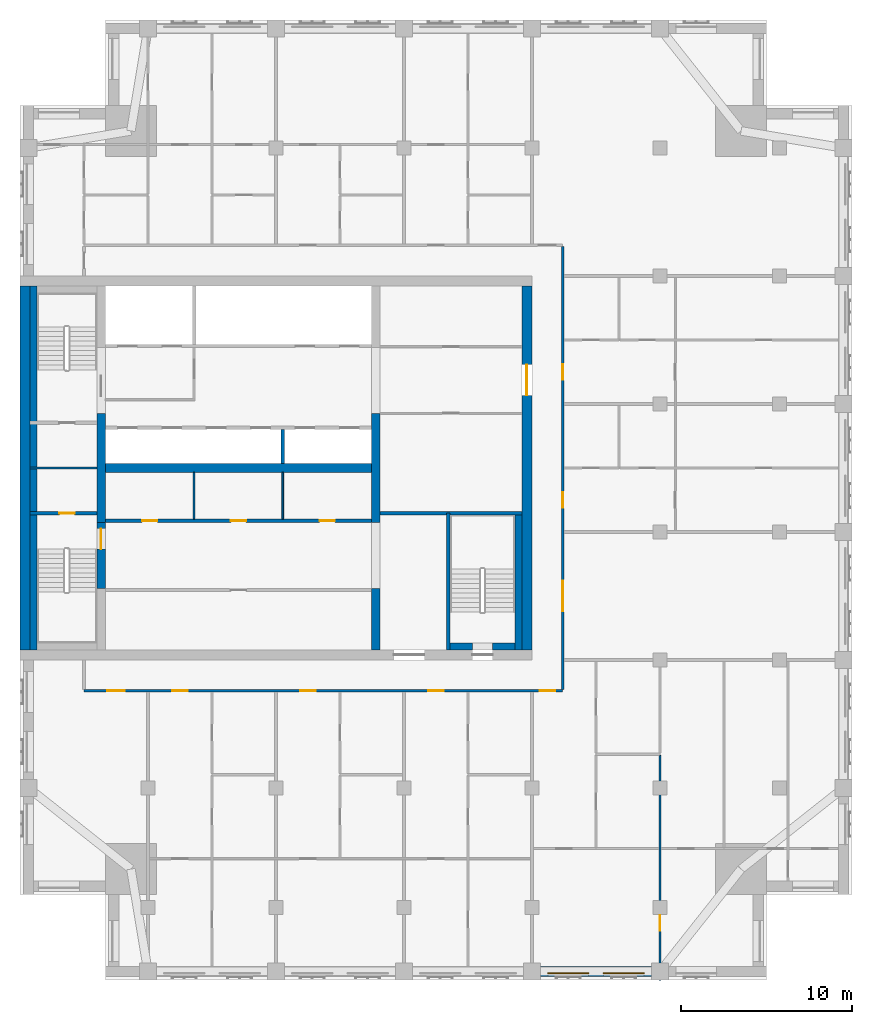
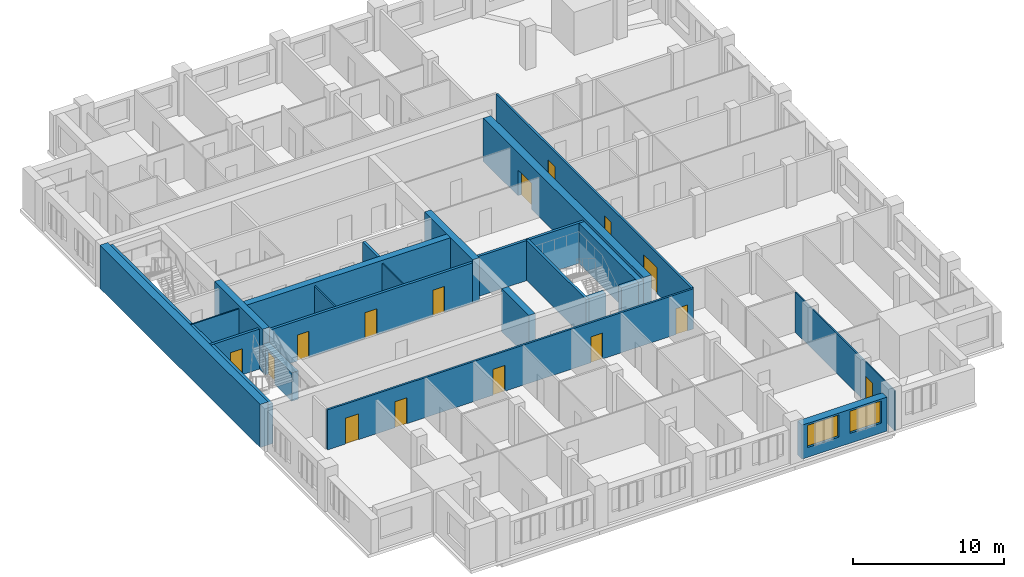
# One storey, part 4 of 11: 23 walls, 15 doors, 2 windows, 17 openings.
"""IFC4 building model written with IfcOpenShell, lengths in metres."""

from ifc_helpers import new_model, si_unit, direction, frame, frame_2d, origin, place, context, subcontext, project, spatial, rectangle, extrude, material, layer, layer_set, type_object, element, fill, save


model = new_model("IFC4")

# Units and contexts
model_context = context("Model", 3, precision=1e-05, world=origin(), true_north=direction((0.0, 1.0)))
body_context = subcontext(model_context, "Body", "Model", "MODEL_VIEW")
ifc_project = project(units=[si_unit("LENGTHUNIT", "METRE"), si_unit("AREAUNIT", "SQUARE_METRE"), si_unit("VOLUMEUNIT", "CUBIC_METRE"), si_unit("PLANEANGLEUNIT", "RADIAN"), si_unit("MASSUNIT", "GRAM", prefix="KILO")], contexts=[model_context])

# Site, building, storey
site_placement = place(None, origin())
site = spatial("IfcSite", under=ifc_project, at=site_placement, CompositionType="ELEMENT")
building_placement = place(site_placement, origin())
building = spatial("IfcBuilding", under=site, at=building_placement, Name="Tamorin Gate", CompositionType="ELEMENT")
storey_placement = place(building_placement, frame((0.0, 0.0, 226.699951171875)))
storey = spatial("IfcBuildingStorey", under=building, at=storey_placement, Name="L56", CompositionType="ELEMENT", Elevation=226.699951171875)

# Wall, openings, windows
ifc_material_1 = material(Name="Precast concrete C40/50", Category="concrete")
ifc_layer_1 = layer(ifc_material_1, 0.60009765625)
ifc_layer_set_1 = layer_set([ifc_layer_1], Name="Precast concrete C40/50")
wall_type_1 = type_object("IfcWallType", Name="Board-marked concrete facade panel 600", PredefinedType="SOLIDWALL", material=ifc_layer_set_1)
wall_1_placement = place(storey_placement, frame((60.5, 41.75, 0.0), z_axis=(0.0, 0.0, 1.0), x_axis=(1.0, 0.0, 0.0)))
wall_1 = element("IfcWall", 1, at=wall_1_placement, inside=storey, type_object=wall_type_1, Name="Facade panel", PredefinedType="SOLIDWALL", context=body_context, shape_type="SweptSolid", body=[
    extrude(rectangle(XDim=6.5, YDim=0.60009765625, at=frame_2d((3.25, 0.0))), origin(), (0.0, 0.0, 1.0), 2.75),
])
opening_1_placement = place(wall_1_placement, frame((0.425048828125, 0.0, 0.800048828125)))
opening_1 = element("IfcOpeningElement", 2, at=opening_1_placement, cuts=wall_1, Name="Opening WN1", PredefinedType="OPENING", context=body_context, shape_type="SweptSolid", body=[
    extrude(rectangle(XDim=2.39990234375, YDim=1.800048828125, at=frame_2d((1.199951171875, 0.89990234375))), frame((0.0, 0.31005859375, 0.0), z_axis=(0.0, -1.0, 0.0), x_axis=(1.0, 0.0, 0.0)), (0.0, 0.0, 1.0), 0.6201171875),
])
opening_2_placement = place(wall_1_placement, frame((3.675048828125, 0.0, 0.800048828125)))
opening_2 = element("IfcOpeningElement", 3, at=opening_2_placement, cuts=wall_1, Name="Opening WN1", PredefinedType="OPENING", context=body_context, shape_type="SweptSolid", body=[
    extrude(rectangle(XDim=2.39990234375, YDim=1.800048828125, at=frame_2d((1.199951171875, 0.89990234375))), frame((0.0, 0.31005859375, 0.0), z_axis=(0.0, -1.0, 0.0), x_axis=(1.0, 0.0, 0.0)), (0.0, 0.0, 1.0), 0.6201171875),
])
ifc_material_2 = material(Name="Clear glass in aluminium frame", Category="aluminium")
window_type = type_object("IfcWindowType", Name="Deep-set window 2400x1800", PartitioningType="SINGLE_PANEL", PredefinedType="WINDOW", material=ifc_material_2)
window_1_placement = place(opening_1_placement, origin())
window_1 = element("IfcWindow", 4, at=window_1_placement, inside=storey, type_object=window_type, Name="Deep-set window", OverallHeight=1.800048828125, OverallWidth=2.39990234375, PartitioningType="SINGLE_PANEL", PredefinedType="WINDOW", context=body_context, shape_type="SweptSolid", body=[
    extrude(rectangle(XDim=2.39990234375, YDim=1.800048828125, at=frame_2d((1.199951171875, 0.89990234375))), frame((0.0, -0.070068359375, 0.0), z_axis=(0.0, -1.0, 0.0), x_axis=(1.0, 0.0, 0.0)), (0.0, 0.0, 1.0), 0.06005859375),
])
fill(opening_1, window_1)
window_2_placement = place(opening_2_placement, origin())
window_2 = element("IfcWindow", 5, at=window_2_placement, inside=storey, type_object=window_type, Name="Deep-set window", OverallHeight=1.800048828125, OverallWidth=2.39990234375, PartitioningType="SINGLE_PANEL", PredefinedType="WINDOW", context=body_context, shape_type="SweptSolid", body=[
    extrude(rectangle(XDim=2.39990234375, YDim=1.800048828125, at=frame_2d((1.199951171875, 0.89990234375))), frame((0.0, -0.070068359375, 0.0), z_axis=(0.0, -1.0, 0.0), x_axis=(1.0, 0.0, 0.0)), (0.0, 0.0, 1.0), 0.06005859375),
])
fill(opening_2, window_2)

# Wall, openings, doors
ifc_material_3 = material(Name="Gypsum board partition")
ifc_layer_2 = layer(ifc_material_3, 0.14990234375)
ifc_layer_set_2 = layer_set([ifc_layer_2], Name="Corridor wall 150")
wall_type_2 = type_object("IfcWallType", Name="Corridor wall 150", PredefinedType="PARTITIONING", material=ifc_layer_set_2)
wall_2_placement = place(storey_placement, frame((33.75, 58.199951171875, 0.0), z_axis=(0.0, 0.0, 1.0), x_axis=(1.0, 0.0, 0.0)))
wall_2 = element("IfcWall", 6, at=wall_2_placement, inside=storey, type_object=wall_type_2, Name="Corridor wall 150", PredefinedType="PARTITIONING", context=body_context, shape_type="SweptSolid", body=[
    extrude(rectangle(XDim=28.050048828125, YDim=0.14990234375, at=frame_2d((14.02490234375, 0.0))), origin(), (0.0, 0.0, 1.0), 3.25),
])
opening_3_placement = place(wall_2_placement, frame((1.375, 0.0, 0.0)))
opening_3 = element("IfcOpeningElement", 7, at=opening_3_placement, cuts=wall_2, Name="Opening DR6001", PredefinedType="OPENING", context=body_context, shape_type="SweptSolid", body=[
    extrude(rectangle(XDim=1.0, YDim=2.10009765625, at=frame_2d((0.5, 1.050048828125))), frame((0.0, 0.0849609375, 0.0), z_axis=(0.0, -1.0, 0.0), x_axis=(1.0, 0.0, 0.0)), (0.0, 0.0, 1.0), 0.169921875),
])
opening_4_placement = place(wall_2_placement, frame((5.175048828125, 0.0, 0.0)))
opening_4 = element("IfcOpeningElement", 8, at=opening_4_placement, cuts=wall_2, Name="Opening DR6002", PredefinedType="OPENING", context=body_context, shape_type="SweptSolid", body=[
    extrude(rectangle(XDim=0.89990234375, YDim=2.10009765625, at=frame_2d((0.449951171875, 1.050048828125))), frame((0.0, 0.0849609375, 0.0), z_axis=(0.0, -1.0, 0.0), x_axis=(1.0, 0.0, 0.0)), (0.0, 0.0, 1.0), 0.169921875),
])
opening_5_placement = place(wall_2_placement, frame((12.675048828125, 0.0, 0.0)))
opening_5 = element("IfcOpeningElement", 9, at=opening_5_placement, cuts=wall_2, Name="Opening DR6007", PredefinedType="OPENING", context=body_context, shape_type="SweptSolid", body=[
    extrude(rectangle(XDim=0.89990234375, YDim=2.10009765625, at=frame_2d((0.449951171875, 1.050048828125))), frame((0.0, 0.0849609375, 0.0), z_axis=(0.0, -1.0, 0.0), x_axis=(1.0, 0.0, 0.0)), (0.0, 0.0, 1.0), 0.169921875),
])
opening_6_placement = place(wall_2_placement, frame((20.175048828125, 0.0, 0.0)))
opening_6 = element("IfcOpeningElement", 10, at=opening_6_placement, cuts=wall_2, Name="Opening DR6011", PredefinedType="OPENING", context=body_context, shape_type="SweptSolid", body=[
    extrude(rectangle(XDim=0.89990234375, YDim=2.10009765625, at=frame_2d((0.449951171875, 1.050048828125))), frame((0.0, 0.0849609375, 0.0), z_axis=(0.0, -1.0, 0.0), x_axis=(1.0, 0.0, 0.0)), (0.0, 0.0, 1.0), 0.169921875),
])
opening_7_placement = place(wall_2_placement, frame((26.699951171875, 0.0, 0.0)))
opening_7 = element("IfcOpeningElement", 11, at=opening_7_placement, cuts=wall_2, Name="Opening DR6016", PredefinedType="OPENING", context=body_context, shape_type="SweptSolid", body=[
    extrude(rectangle(XDim=0.89990234375, YDim=2.10009765625, at=frame_2d((0.449951171875, 1.050048828125))), frame((0.0, 0.0849609375, 0.0), z_axis=(0.0, -1.0, 0.0), x_axis=(1.0, 0.0, 0.0)), (0.0, 0.0, 1.0), 0.169921875),
])
ifc_material_4 = material(Name="Timber door leaf", Category="wood")
door_type_1 = type_object("IfcDoorType", Name="Door 1000 x 2100 FD30S", OperationType="NOTDEFINED", PredefinedType="DOOR", material=ifc_material_4)
door_1_placement = place(opening_3_placement, origin())
door_1 = element("IfcDoor", 12, at=door_1_placement, inside=storey, type_object=door_type_1, Name="Door DR6001", OperationType="SINGLE_SWING_RIGHT", OverallHeight=2.10009765625, OverallWidth=1.0, PredefinedType="DOOR", context=body_context, shape_type="SweptSolid", body=[
    extrude(rectangle(XDim=1.0, YDim=2.10009765625, at=frame_2d((0.5, 1.050048828125))), frame((0.0, 0.02490234375, 0.0), z_axis=(0.0, -1.0, 0.0), x_axis=(1.0, 0.0, 0.0)), (0.0, 0.0, 1.0), 0.050048828125),
])
fill(opening_3, door_1)
door_type_2 = type_object("IfcDoorType", Name="Door 900 x 2100 FD30S", OperationType="NOTDEFINED", PredefinedType="DOOR", material=ifc_material_4)
door_2_placement = place(opening_4_placement, origin())
door_2 = element("IfcDoor", 13, at=door_2_placement, inside=storey, type_object=door_type_2, Name="Door DR6002", OperationType="SINGLE_SWING_RIGHT", OverallHeight=2.10009765625, OverallWidth=0.89990234375, PredefinedType="DOOR", context=body_context, shape_type="SweptSolid", body=[
    extrude(rectangle(XDim=0.89990234375, YDim=2.10009765625, at=frame_2d((0.449951171875, 1.050048828125))), frame((0.0, 0.02490234375, 0.0), z_axis=(0.0, -1.0, 0.0), x_axis=(1.0, 0.0, 0.0)), (0.0, 0.0, 1.0), 0.050048828125),
])
fill(opening_4, door_2)
door_3_placement = place(opening_5_placement, origin())
door_3 = element("IfcDoor", 14, at=door_3_placement, inside=storey, type_object=door_type_2, Name="Door DR6007", OperationType="SINGLE_SWING_RIGHT", OverallHeight=2.10009765625, OverallWidth=0.89990234375, PredefinedType="DOOR", context=body_context, shape_type="SweptSolid", body=[
    extrude(rectangle(XDim=0.89990234375, YDim=2.10009765625, at=frame_2d((0.449951171875, 1.050048828125))), frame((0.0, 0.02490234375, 0.0), z_axis=(0.0, -1.0, 0.0), x_axis=(1.0, 0.0, 0.0)), (0.0, 0.0, 1.0), 0.050048828125),
])
fill(opening_5, door_3)
door_4_placement = place(opening_6_placement, origin())
door_4 = element("IfcDoor", 15, at=door_4_placement, inside=storey, type_object=door_type_2, Name="Door DR6011", OperationType="SINGLE_SWING_RIGHT", OverallHeight=2.10009765625, OverallWidth=0.89990234375, PredefinedType="DOOR", context=body_context, shape_type="SweptSolid", body=[
    extrude(rectangle(XDim=0.89990234375, YDim=2.10009765625, at=frame_2d((0.449951171875, 1.050048828125))), frame((0.0, 0.02490234375, 0.0), z_axis=(0.0, -1.0, 0.0), x_axis=(1.0, 0.0, 0.0)), (0.0, 0.0, 1.0), 0.050048828125),
])
fill(opening_6, door_4)
door_5_placement = place(opening_7_placement, origin())
door_5 = element("IfcDoor", 16, at=door_5_placement, inside=storey, type_object=door_type_2, Name="Door DR6016", OperationType="SINGLE_SWING_RIGHT", OverallHeight=2.10009765625, OverallWidth=0.89990234375, PredefinedType="DOOR", context=body_context, shape_type="SweptSolid", body=[
    extrude(rectangle(XDim=0.89990234375, YDim=2.10009765625, at=frame_2d((0.449951171875, 1.050048828125))), frame((0.0, 0.02490234375, 0.0), z_axis=(0.0, -1.0, 0.0), x_axis=(1.0, 0.0, 0.0)), (0.0, 0.0, 1.0), 0.050048828125),
])
fill(opening_7, door_5)

wall_3_placement = place(storey_placement, frame((61.800048828125, 58.27490234375, 0.0), z_axis=(0.0, 0.0, 1.0), x_axis=(0.0, 1.0, 0.0)))
wall_3 = element("IfcWall", 17, at=wall_3_placement, inside=storey, type_object=wall_type_2, Name="Corridor wall 150", PredefinedType="PARTITIONING", context=body_context, shape_type="SweptSolid", body=[
    extrude(rectangle(XDim=25.9501953125, YDim=0.14990234375, at=frame_2d((12.97509765625, 0.0))), origin(), (0.0, 0.0, 1.0), 3.25),
])
opening_8_placement = place(wall_3_placement, frame((4.574951171875, 0.0, 0.0)))
opening_8 = element("IfcOpeningElement", 18, at=opening_8_placement, cuts=wall_3, Name="Opening DR6044", PredefinedType="OPENING", context=body_context, shape_type="SweptSolid", body=[
    extrude(rectangle(XDim=1.800048828125, YDim=2.10009765625, at=frame_2d((0.89990234375, 1.050048828125))), frame((0.0, 0.0849609375, 0.0), z_axis=(0.0, -1.0, 0.0), x_axis=(1.0, 0.0, 0.0)), (0.0, 0.0, 1.0), 0.169921875),
])
opening_9_placement = place(wall_3_placement, frame((10.64990234375, 0.0, 0.0)))
opening_9 = element("IfcOpeningElement", 19, at=opening_9_placement, cuts=wall_3, Name="Opening DR6045", PredefinedType="OPENING", context=body_context, shape_type="SweptSolid", body=[
    extrude(rectangle(XDim=0.89990234375, YDim=2.10009765625, at=frame_2d((0.449951171875, 1.050048828125))), frame((0.0, 0.0849609375, 0.0), z_axis=(0.0, -1.0, 0.0), x_axis=(1.0, 0.0, 0.0)), (0.0, 0.0, 1.0), 0.169921875),
])
opening_10_placement = place(wall_3_placement, frame((18.14990234375, 0.0, 0.0)))
opening_10 = element("IfcOpeningElement", 20, at=opening_10_placement, cuts=wall_3, Name="Opening DR6050", PredefinedType="OPENING", context=body_context, shape_type="SweptSolid", body=[
    extrude(rectangle(XDim=0.89990234375, YDim=2.10009765625, at=frame_2d((0.449951171875, 1.050048828125))), frame((0.0, 0.0849609375, 0.0), z_axis=(0.0, -1.0, 0.0), x_axis=(1.0, 0.0, 0.0)), (0.0, 0.0, 1.0), 0.169921875),
])
door_type_3 = type_object("IfcDoorType", Name="Door 1800 x 2100 FD30S", OperationType="DOUBLE_DOOR_SINGLE_SWING", PredefinedType="DOOR", material=ifc_material_4)
door_6_placement = place(opening_8_placement, origin())
door_6 = element("IfcDoor", 21, at=door_6_placement, inside=storey, type_object=door_type_3, Name="Door DR6044", OperationType="DOUBLE_DOOR_SINGLE_SWING", OverallHeight=2.10009765625, OverallWidth=1.800048828125, PredefinedType="DOOR", context=body_context, shape_type="SweptSolid", body=[
    extrude(rectangle(XDim=1.800048828125, YDim=2.10009765625, at=frame_2d((0.89990234375, 1.050048828125))), frame((0.0, 0.02490234375, 0.0), z_axis=(0.0, -1.0, 0.0), x_axis=(1.0, 0.0, 0.0)), (0.0, 0.0, 1.0), 0.050048828125),
])
fill(opening_8, door_6)
door_7_placement = place(opening_9_placement, origin())
door_7 = element("IfcDoor", 22, at=door_7_placement, inside=storey, type_object=door_type_2, Name="Door DR6045", OperationType="SINGLE_SWING_RIGHT", OverallHeight=2.10009765625, OverallWidth=0.89990234375, PredefinedType="DOOR", context=body_context, shape_type="SweptSolid", body=[
    extrude(rectangle(XDim=0.89990234375, YDim=2.10009765625, at=frame_2d((0.449951171875, 1.050048828125))), frame((0.0, 0.02490234375, 0.0), z_axis=(0.0, -1.0, 0.0), x_axis=(1.0, 0.0, 0.0)), (0.0, 0.0, 1.0), 0.050048828125),
])
fill(opening_9, door_7)
door_8_placement = place(opening_10_placement, origin())
door_8 = element("IfcDoor", 23, at=door_8_placement, inside=storey, type_object=door_type_2, Name="Door DR6050", OperationType="SINGLE_SWING_RIGHT", OverallHeight=2.10009765625, OverallWidth=0.89990234375, PredefinedType="DOOR", context=body_context, shape_type="SweptSolid", body=[
    extrude(rectangle(XDim=0.89990234375, YDim=2.10009765625, at=frame_2d((0.449951171875, 1.050048828125))), frame((0.0, 0.02490234375, 0.0), z_axis=(0.0, -1.0, 0.0), x_axis=(1.0, 0.0, 0.0)), (0.0, 0.0, 1.0), 0.050048828125),
])
fill(opening_10, door_8)

# Walls
ifc_material_5 = material(Name="Concrete C32/40", Category="concrete")
ifc_layer_3 = layer(ifc_material_5, 0.199951171875)
ifc_layer_set_3 = layer_set([ifc_layer_3], Name="Lift shaft wall 200 EI 120")
wall_type_3 = type_object("IfcWallType", Name="Lift shaft wall 200 EI 120", PredefinedType="SOLIDWALL", material=ifc_layer_set_3)
wall_4_placement = place(storey_placement, frame((45.39990234375, 71.5, 0.0), z_axis=(0.0, 0.0, 1.0), x_axis=(0.0, 1.0, 0.0)))
element("IfcWall", 24, at=wall_4_placement, inside=storey, type_object=wall_type_3, Name="Lift shaft wall", PredefinedType="SOLIDWALL", context=body_context, shape_type="SweptSolid", body=[
    extrude(rectangle(XDim=2.0, YDim=0.199951171875, at=frame_2d((1.0, 0.0))), origin(), (0.0, 0.0, 1.0), 3.5),
])
ifc_material_6 = material(Name="Concrete C50/60", Category="concrete")
ifc_layer_4 = layer(ifc_material_6, 0.5)
ifc_layer_set_4 = layer_set([ifc_layer_4], Name="RC core internal wall 500 C50/60")
wall_type_4 = type_object("IfcWallType", Name="RC core internal wall 500 C50/60", PredefinedType="SHEAR", material=ifc_layer_set_4)
wall_5_placement = place(storey_placement, frame((35.0, 71.25, 0.0), z_axis=(0.0, 0.0, 1.0), x_axis=(1.0, 0.0, 0.0)))
element("IfcWall", 25, at=wall_5_placement, inside=storey, type_object=wall_type_4, Name="Core spine wall L56", PredefinedType="SHEAR", context=body_context, shape_type="SweptSolid", body=[
    extrude(rectangle(XDim=15.60009765625, YDim=0.5, at=frame_2d((7.800048828125, 0.0))), origin(), (0.0, 0.0, 1.0), 3.5),
])
wall_6_placement = place(storey_placement, frame((34.75, 68.050048828125, 0.0), z_axis=(0.0, 0.0, 1.0), x_axis=(0.0, 1.0, 0.0)))
element("IfcWall", 26, at=wall_6_placement, inside=storey, type_object=wall_type_4, Name="Core cross wall L56", PredefinedType="SHEAR", context=body_context, shape_type="SweptSolid", body=[
    extrude(rectangle(XDim=6.39990234375, YDim=0.5, at=frame_2d((3.199951171875, 0.0))), origin(), (0.0, 0.0, 1.0), 3.5),
])
wall_7_placement = place(storey_placement, frame((50.85009765625, 60.60009765625, 0.0), z_axis=(0.0, 0.0, 1.0), x_axis=(0.0, 1.0, 0.0)))
element("IfcWall", 27, at=wall_7_placement, inside=storey, type_object=wall_type_4, Name="Core cross wall L56", PredefinedType="SHEAR", context=body_context, shape_type="SweptSolid", body=[
    extrude(rectangle(XDim=3.599853515625, YDim=0.5, at=frame_2d((1.7998046875, 0.0))), origin(), (0.0, 0.0, 1.0), 3.5),
])
wall_8_placement = place(storey_placement, frame((50.85009765625, 68.050048828125, 0.0), z_axis=(0.0, 0.0, 1.0), x_axis=(0.0, 1.0, 0.0)))
element("IfcWall", 28, at=wall_8_placement, inside=storey, type_object=wall_type_4, Name="Core cross wall L56", PredefinedType="SHEAR", context=body_context, shape_type="SweptSolid", body=[
    extrude(rectangle(XDim=6.39990234375, YDim=0.5, at=frame_2d((3.199951171875, 0.0))), origin(), (0.0, 0.0, 1.0), 3.5),
])
ifc_layer_5 = layer(ifc_material_6, 0.60009765625)
ifc_layer_set_5 = layer_set([ifc_layer_5], Name="RC core wall 600 C50/60")
wall_type_5 = type_object("IfcWallType", Name="RC core wall 600 C50/60", PredefinedType="SHEAR", material=ifc_layer_set_5)
wall_9_placement = place(storey_placement, frame((30.300048828125, 60.60009765625, 0.0), z_axis=(0.0, 0.0, 1.0), x_axis=(0.0, 1.0, 0.0)))
element("IfcWall", 29, at=wall_9_placement, inside=storey, type_object=wall_type_5, Name="Core wall L56", PredefinedType="SHEAR", context=body_context, shape_type="SweptSolid", body=[
    extrude(rectangle(XDim=21.2998046875, YDim=0.60009765625, at=frame_2d((10.64990234375, 0.0))), origin(), (0.0, 0.0, 1.0), 3.5),
])

# Wall, opening, door
wall_10_placement = place(storey_placement, frame((59.699951171875, 60.60009765625, 0.0), z_axis=(0.0, 0.0, 1.0), x_axis=(0.0, 1.0, 0.0)))
wall_10 = element("IfcWall", 30, at=wall_10_placement, inside=storey, type_object=wall_type_5, Name="Core wall L56", PredefinedType="SHEAR", context=body_context, shape_type="SweptSolid", body=[
    extrude(rectangle(XDim=21.2998046875, YDim=0.60009765625, at=frame_2d((10.64990234375, 0.0))), origin(), (0.0, 0.0, 1.0), 3.5),
])
opening_11_placement = place(wall_10_placement, frame((14.89990234375, 0.0, 0.0)))
opening_11 = element("IfcOpeningElement", 31, at=opening_11_placement, cuts=wall_10, Name="Opening DE1", PredefinedType="OPENING", context=body_context, shape_type="SweptSolid", body=[
    extrude(rectangle(XDim=1.800048828125, YDim=2.10009765625, at=frame_2d((0.89990234375, 1.050048828125))), frame((0.0, 0.31005859375, 0.0), z_axis=(0.0, -1.0, 0.0), x_axis=(1.0, 0.0, 0.0)), (0.0, 0.0, 1.0), 0.6201171875),
])
ifc_material_7 = material(Name="Steel fire door", Category="steel")
door_type_4 = type_object("IfcDoorType", Name="Lobby exit double door 1800 x 2100 EI 60", OperationType="DOUBLE_DOOR_SINGLE_SWING", PredefinedType="DOOR", material=ifc_material_7)
door_9_placement = place(opening_11_placement, origin())
door_9 = element("IfcDoor", 32, at=door_9_placement, inside=storey, type_object=door_type_4, Name="Lift lobby B exit door", OperationType="DOUBLE_DOOR_SINGLE_SWING", OverallHeight=2.10009765625, OverallWidth=1.800048828125, PredefinedType="DOOR", context=body_context, shape_type="SweptSolid", body=[
    extrude(rectangle(XDim=1.800048828125, YDim=2.10009765625, at=frame_2d((0.89990234375, 1.050048828125))), frame((0.0, 0.02490234375, 0.0), z_axis=(0.0, -1.0, 0.0), x_axis=(1.0, 0.0, 0.0)), (0.0, 0.0, 1.0), 0.050048828125),
])
fill(opening_11, door_9)

# Wall
ifc_material_8 = material(Name="Fire-rated gypsum board partition")
ifc_layer_6 = layer(ifc_material_8, 0.10009765625)
ifc_layer_set_6 = layer_set([ifc_layer_6], Name="Riser partition 100 EI 120")
wall_type_6 = type_object("IfcWallType", Name="Riser partition 100 EI 120", PredefinedType="PARTITIONING", material=ifc_layer_set_6)
wall_11_placement = place(storey_placement, frame((30.60009765625, 71.25, 0.0), z_axis=(0.0, 0.0, 1.0), x_axis=(1.0, 0.0, 0.0)))
element("IfcWall", 33, at=wall_11_placement, inside=storey, type_object=wall_type_6, Name="Riser partition", PredefinedType="PARTITIONING", context=body_context, shape_type="SweptSolid", body=[
    extrude(rectangle(XDim=3.89990234375, YDim=0.10009765625, at=frame_2d((1.949951171875, 0.0))), origin(), (0.0, 0.0, 1.0), 3.25),
])

# Wall, opening, door
ifc_layer_7 = layer(ifc_material_3, 0.10009765625)
ifc_layer_set_7 = layer_set([ifc_layer_7], Name="Room partition 100")
wall_type_7 = type_object("IfcWallType", Name="Room partition 100", PredefinedType="PARTITIONING", material=ifc_layer_set_7)
wall_12_placement = place(storey_placement, frame((67.5, 41.25, 0.0), z_axis=(0.0, 0.0, 1.0), x_axis=(0.0, 1.0, 0.0)))
wall_12 = element("IfcWall", 34, at=wall_12_placement, inside=storey, type_object=wall_type_7, Name="Room partition 100", PredefinedType="PARTITIONING", context=body_context, shape_type="SweptSolid", body=[
    extrude(rectangle(XDim=13.16259765625, YDim=0.10009765625, at=frame_2d((6.581298828125, 0.0))), origin(), (0.0, 0.0, 1.0), 3.25),
])
opening_12_placement = place(wall_12_placement, frame((2.89990234375, 0.0, 0.0)))
opening_12 = element("IfcOpeningElement", 35, at=opening_12_placement, cuts=wall_12, Name="Opening DR6023", PredefinedType="OPENING", context=body_context, shape_type="SweptSolid", body=[
    extrude(rectangle(XDim=0.89990234375, YDim=2.10009765625, at=frame_2d((0.449951171875, 1.050048828125))), frame((0.0, 0.06005859375, 0.0), z_axis=(0.0, -1.0, 0.0), x_axis=(1.0, 0.0, 0.0)), (0.0, 0.0, 1.0), 0.1201171875),
])
door_type_5 = type_object("IfcDoorType", Name="Door 900 x 2100", OperationType="NOTDEFINED", PredefinedType="DOOR", material=ifc_material_4)
door_10_placement = place(opening_12_placement, origin())
door_10 = element("IfcDoor", 36, at=door_10_placement, inside=storey, type_object=door_type_5, Name="Door DR6023", OperationType="SINGLE_SWING_LEFT", OverallHeight=2.10009765625, OverallWidth=0.89990234375, PredefinedType="DOOR", context=body_context, shape_type="SweptSolid", body=[
    extrude(rectangle(XDim=0.89990234375, YDim=2.10009765625, at=frame_2d((0.449951171875, 1.050048828125))), frame((0.0, 0.02490234375, 0.0), z_axis=(0.0, -1.0, 0.0), x_axis=(1.0, 0.0, 0.0)), (0.0, 0.0, 1.0), 0.050048828125),
])
fill(opening_12, door_10)

# Wall, openings, doors
ifc_layer_8 = layer(ifc_material_3, 0.199951171875)
ifc_layer_set_8 = layer_set([ifc_layer_8], Name="Service room face wall 200 EI 60")
wall_type_8 = type_object("IfcWallType", Name="Service room face wall 200 EI 60", PredefinedType="PARTITIONING", material=ifc_layer_set_8)
wall_13_placement = place(storey_placement, frame((35.0, 68.14990234375, 0.0), z_axis=(0.0, 0.0, 1.0), x_axis=(1.0, 0.0, 0.0)))
wall_13 = element("IfcWall", 37, at=wall_13_placement, inside=storey, type_object=wall_type_8, Name="Service room face wall", PredefinedType="PARTITIONING", context=body_context, shape_type="SweptSolid", body=[
    extrude(rectangle(XDim=15.60009765625, YDim=0.199951171875, at=frame_2d((7.800048828125, 0.0))), origin(), (0.0, 0.0, 1.0), 3.25),
])
opening_13_placement = place(wall_13_placement, frame((2.14990234375, 0.0, 0.0)))
opening_13 = element("IfcOpeningElement", 38, at=opening_13_placement, cuts=wall_13, Name="Opening DK1", PredefinedType="OPENING", context=body_context, shape_type="SweptSolid", body=[
    extrude(rectangle(XDim=0.89990234375, YDim=2.10009765625, at=frame_2d((0.449951171875, 1.050048828125))), frame((0.0, 0.10986328125, 0.0), z_axis=(0.0, -1.0, 0.0), x_axis=(1.0, 0.0, 0.0)), (0.0, 0.0, 1.0), 0.219970703125),
])
opening_14_placement = place(wall_13_placement, frame((7.35009765625, 0.0, 0.0)))
opening_14 = element("IfcOpeningElement", 39, at=opening_14_placement, cuts=wall_13, Name="Opening DK1", PredefinedType="OPENING", context=body_context, shape_type="SweptSolid", body=[
    extrude(rectangle(XDim=0.89990234375, YDim=2.10009765625, at=frame_2d((0.449951171875, 1.050048828125))), frame((0.0, 0.10986328125, 0.0), z_axis=(0.0, -1.0, 0.0), x_axis=(1.0, 0.0, 0.0)), (0.0, 0.0, 1.0), 0.219970703125),
])
opening_15_placement = place(wall_13_placement, frame((12.550048828125, 0.0, 0.0)))
opening_15 = element("IfcOpeningElement", 40, at=opening_15_placement, cuts=wall_13, Name="Opening DK1", PredefinedType="OPENING", context=body_context, shape_type="SweptSolid", body=[
    extrude(rectangle(XDim=0.89990234375, YDim=2.10009765625, at=frame_2d((0.449951171875, 1.050048828125))), frame((0.0, 0.10986328125, 0.0), z_axis=(0.0, -1.0, 0.0), x_axis=(1.0, 0.0, 0.0)), (0.0, 0.0, 1.0), 0.219970703125),
])
ifc_material_9 = material(Name="Timber fire door", Category="wood")
door_type_6 = type_object("IfcDoorType", Name="Service room door 900 x 2100 EI 60", OperationType="SINGLE_SWING_LEFT", PredefinedType="DOOR", material=ifc_material_9)
door_11_placement = place(opening_13_placement, origin())
door_11 = element("IfcDoor", 41, at=door_11_placement, inside=storey, type_object=door_type_6, Name="Door Cleaner's store", OperationType="SINGLE_SWING_RIGHT", OverallHeight=2.10009765625, OverallWidth=0.89990234375, PredefinedType="DOOR", context=body_context, shape_type="SweptSolid", body=[
    extrude(rectangle(XDim=0.89990234375, YDim=2.10009765625, at=frame_2d((0.449951171875, 1.050048828125))), frame((0.0, 0.02490234375, 0.0), z_axis=(0.0, -1.0, 0.0), x_axis=(1.0, 0.0, 0.0)), (0.0, 0.0, 1.0), 0.050048828125),
])
fill(opening_13, door_11)
door_12_placement = place(opening_14_placement, origin())
door_12 = element("IfcDoor", 42, at=door_12_placement, inside=storey, type_object=door_type_6, Name="Door Luggage store", OperationType="SINGLE_SWING_LEFT", OverallHeight=2.10009765625, OverallWidth=0.89990234375, PredefinedType="DOOR", context=body_context, shape_type="SweptSolid", body=[
    extrude(rectangle(XDim=0.89990234375, YDim=2.10009765625, at=frame_2d((0.449951171875, 1.050048828125))), frame((0.0, 0.02490234375, 0.0), z_axis=(0.0, -1.0, 0.0), x_axis=(1.0, 0.0, 0.0)), (0.0, 0.0, 1.0), 0.050048828125),
])
fill(opening_14, door_12)
door_13_placement = place(opening_15_placement, origin())
door_13 = element("IfcDoor", 43, at=door_13_placement, inside=storey, type_object=door_type_6, Name="Door IT room", OperationType="SINGLE_SWING_RIGHT", OverallHeight=2.10009765625, OverallWidth=0.89990234375, PredefinedType="DOOR", context=body_context, shape_type="SweptSolid", body=[
    extrude(rectangle(XDim=0.89990234375, YDim=2.10009765625, at=frame_2d((0.449951171875, 1.050048828125))), frame((0.0, 0.02490234375, 0.0), z_axis=(0.0, -1.0, 0.0), x_axis=(1.0, 0.0, 0.0)), (0.0, 0.0, 1.0), 0.050048828125),
])
fill(opening_15, door_13)

# Walls
ifc_layer_9 = layer(ifc_material_3, 0.10009765625)
ifc_layer_set_9 = layer_set([ifc_layer_9], Name="Service room partition 100 EI 60")
wall_type_9 = type_object("IfcWallType", Name="Service room partition 100 EI 60", PredefinedType="PARTITIONING", material=ifc_layer_set_9)
for number, where, z_axis, x_axis, name in (
    (44, (40.199951171875, 68.25, 0.0), (0.0, 0.0, 1.0), (0.0, 1.0, 0.0), "Service room partition"),
    (45, (45.39990234375, 68.25, 0.0), (0.0, 0.0, 1.0), (0.0, 1.0, 0.0), "Service room partition"),
):
    element("IfcWall", number, at=place(storey_placement, frame(where, z_axis=z_axis, x_axis=x_axis)), inside=storey, type_object=wall_type_9, Name=name, PredefinedType="PARTITIONING", context=body_context, shape_type="SweptSolid", body=[
        extrude(rectangle(XDim=2.75, YDim=0.10009765625, at=frame_2d((1.375, 0.0))), origin(), (0.0, 0.0, 1.0), 3.25),
    ])

# Wall, opening, door
ifc_material_10 = material(Name="Concrete C40/50", Category="concrete")
ifc_layer_10 = layer(ifc_material_10, 0.199951171875)
ifc_layer_set_10 = layer_set([ifc_layer_10], Name="Stair enclosure wall 200 EI 120 C40/50")
wall_type_10 = type_object("IfcWallType", Name="Stair enclosure wall 200 EI 120 C40/50", PredefinedType="SOLIDWALL", material=ifc_layer_set_10)
wall_14_placement = place(storey_placement, frame((30.60009765625, 68.60009765625, 0.0), z_axis=(0.0, 0.0, 1.0), x_axis=(1.0, 0.0, 0.0)))
wall_14 = element("IfcWall", 46, at=wall_14_placement, inside=storey, type_object=wall_type_10, Name="Stair enclosure wall", PredefinedType="SOLIDWALL", context=body_context, shape_type="SweptSolid", body=[
    extrude(rectangle(XDim=3.89990234375, YDim=0.199951171875, at=frame_2d((1.949951171875, 0.0))), origin(), (0.0, 0.0, 1.0), 3.25),
])
opening_16_placement = place(wall_14_placement, frame((1.699951171875, 0.0, 0.0)))
opening_16 = element("IfcOpeningElement", 47, at=opening_16_placement, cuts=wall_14, Name="Opening DR1", PredefinedType="OPENING", context=body_context, shape_type="SweptSolid", body=[
    extrude(rectangle(XDim=0.89990234375, YDim=2.10009765625, at=frame_2d((0.449951171875, 1.050048828125))), frame((0.0, 0.10986328125, 0.0), z_axis=(0.0, -1.0, 0.0), x_axis=(1.0, 0.0, 0.0)), (0.0, 0.0, 1.0), 0.219970703125),
])
door_type_7 = type_object("IfcDoorType", Name="Riser access door 900 x 2100 EI 120", OperationType="SINGLE_SWING_LEFT", PredefinedType="DOOR", material=ifc_material_7)
door_14_placement = place(opening_16_placement, origin())
door_14 = element("IfcDoor", 48, at=door_14_placement, inside=storey, type_object=door_type_7, Name="Electrical riser door", OperationType="SINGLE_SWING_LEFT", OverallHeight=2.10009765625, OverallWidth=0.89990234375, PredefinedType="DOOR", context=body_context, shape_type="SweptSolid", body=[
    extrude(rectangle(XDim=0.89990234375, YDim=2.10009765625, at=frame_2d((0.449951171875, 1.050048828125))), frame((0.0, 0.02490234375, 0.0), z_axis=(0.0, -1.0, 0.0), x_axis=(1.0, 0.0, 0.0)), (0.0, 0.0, 1.0), 0.050048828125),
])
fill(opening_16, door_14)

# Walls
wall_15_placement = place(storey_placement, frame((55.10009765625, 60.60009765625, 0.0), z_axis=(0.0, 0.0, 1.0), x_axis=(0.0, 1.0, 0.0)))
element("IfcWall", 49, at=wall_15_placement, inside=storey, type_object=wall_type_10, Name="Stair enclosure wall", PredefinedType="SOLIDWALL", context=body_context, shape_type="SweptSolid", body=[
    extrude(rectangle(XDim=8.0, YDim=0.199951171875, at=frame_2d((4.0, 0.0))), origin(), (0.0, 0.0, 1.0), 3.25),
])
wall_16_placement = place(storey_placement, frame((51.10009765625, 68.60009765625, 0.0), z_axis=(0.0, 0.0, 1.0), x_axis=(1.0, 0.0, 0.0)))
element("IfcWall", 50, at=wall_16_placement, inside=storey, type_object=wall_type_10, Name="Stair enclosure wall", PredefinedType="SOLIDWALL", context=body_context, shape_type="SweptSolid", body=[
    extrude(rectangle(XDim=8.2998046875, YDim=0.199951171875, at=frame_2d((4.14990234375, 0.0))), origin(), (0.0, 0.0, 1.0), 3.25),
])
ifc_layer_11 = layer(ifc_material_6, 0.39990234375)
ifc_layer_set_11 = layer_set([ifc_layer_11], Name="Stair lining wall 400 EI 120 C50/60")
wall_type_11 = type_object("IfcWallType", Name="Stair lining wall 400 EI 120 C50/60", PredefinedType="SOLIDWALL", material=ifc_layer_set_11)
wall_17_placement = place(storey_placement, frame((30.800048828125, 60.60009765625, 0.0), z_axis=(0.0, 0.0, 1.0), x_axis=(0.0, 1.0, 0.0)))
element("IfcWall", 51, at=wall_17_placement, inside=storey, type_object=wall_type_11, Name="Stair lining wall", PredefinedType="SOLIDWALL", context=body_context, shape_type="SweptSolid", body=[
    extrude(rectangle(XDim=21.2998046875, YDim=0.39990234375, at=frame_2d((10.64990234375, 0.0))), origin(), (0.0, 0.0, 1.0), 3.25),
])
for number, where, z_axis, x_axis, name in (
    (52, (55.199951171875, 60.800048828125, 0.0), (0.0, 0.0, 1.0), (1.0, 0.0, 0.0), "Stair lining wall"),
    (53, (57.699951171875, 60.800048828125, 0.0), (0.0, 0.0, 1.0), (1.0, 0.0, 0.0), "Stair lining wall"),
):
    element("IfcWall", number, at=place(storey_placement, frame(where, z_axis=z_axis, x_axis=x_axis)), inside=storey, type_object=wall_type_11, Name=name, PredefinedType="SOLIDWALL", context=body_context, shape_type="SweptSolid", body=[
        extrude(rectangle(XDim=1.300048828125, YDim=0.39990234375, at=frame_2d((0.64990234375, 0.0))), origin(), (0.0, 0.0, 1.0), 3.25),
    ])
wall_18_placement = place(storey_placement, frame((59.199951171875, 60.60009765625, 0.0), z_axis=(0.0, 0.0, 1.0), x_axis=(0.0, 1.0, 0.0)))
element("IfcWall", 54, at=wall_18_placement, inside=storey, type_object=wall_type_11, Name="Stair lining wall", PredefinedType="SOLIDWALL", context=body_context, shape_type="SweptSolid", body=[
    extrude(rectangle(XDim=7.89990234375, YDim=0.39990234375, at=frame_2d((3.949951171875, 0.0))), origin(), (0.0, 0.0, 1.0), 3.25),
])

# Wall, opening, door
ifc_layer_12 = layer(ifc_material_5, 0.5)
ifc_layer_set_12 = layer_set([ifc_layer_12], Name="Stair lobby infill wall 500 EI 120")
wall_type_12 = type_object("IfcWallType", Name="Stair lobby infill wall 500 EI 120", PredefinedType="SOLIDWALL", material=ifc_layer_set_12)
wall_19_placement = place(storey_placement, frame((34.75, 64.199951171875, 0.0), z_axis=(0.0, 0.0, 1.0), x_axis=(0.0, 1.0, 0.0)))
wall_19 = element("IfcWall", 55, at=wall_19_placement, inside=storey, type_object=wall_type_12, Name="Stair lobby infill wall", PredefinedType="SOLIDWALL", context=body_context, shape_type="SweptSolid", body=[
    extrude(rectangle(XDim=3.85009765625, YDim=0.5, at=frame_2d((1.925048828125, 0.0))), origin(), (0.0, 0.0, 1.0), 2.300048828125),
])
opening_17_placement = place(wall_19_placement, frame((2.300048828125, 0.0, 0.0)))
opening_17 = element("IfcOpeningElement", 56, at=opening_17_placement, cuts=wall_19, Name="Opening DS1", PredefinedType="OPENING", context=body_context, shape_type="SweptSolid", body=[
    extrude(rectangle(XDim=1.199951171875, YDim=2.10009765625, at=frame_2d((0.60009765625, 1.050048828125))), frame((0.0, 0.260009765625, 0.0), z_axis=(0.0, -1.0, 0.0), x_axis=(1.0, 0.0, 0.0)), (0.0, 0.0, 1.0), 0.52001953125),
])
door_type_8 = type_object("IfcDoorType", Name="Stair door 1200 x 2100 EI 90", OperationType="SINGLE_SWING_LEFT", PredefinedType="DOOR", material=ifc_material_7)
door_15_placement = place(opening_17_placement, origin())
door_15 = element("IfcDoor", 57, at=door_15_placement, inside=storey, type_object=door_type_8, Name="ST1 door", OperationType="SINGLE_SWING_LEFT", OverallHeight=2.10009765625, OverallWidth=1.199951171875, PredefinedType="DOOR", context=body_context, shape_type="SweptSolid", body=[
    extrude(rectangle(XDim=1.199951171875, YDim=2.10009765625, at=frame_2d((0.60009765625, 1.050048828125))), frame((0.0, 0.02490234375, 0.0), z_axis=(0.0, -1.0, 0.0), x_axis=(1.0, 0.0, 0.0)), (0.0, 0.0, 1.0), 0.050048828125),
])
fill(opening_17, door_15)

save(model, "model.ifc")
